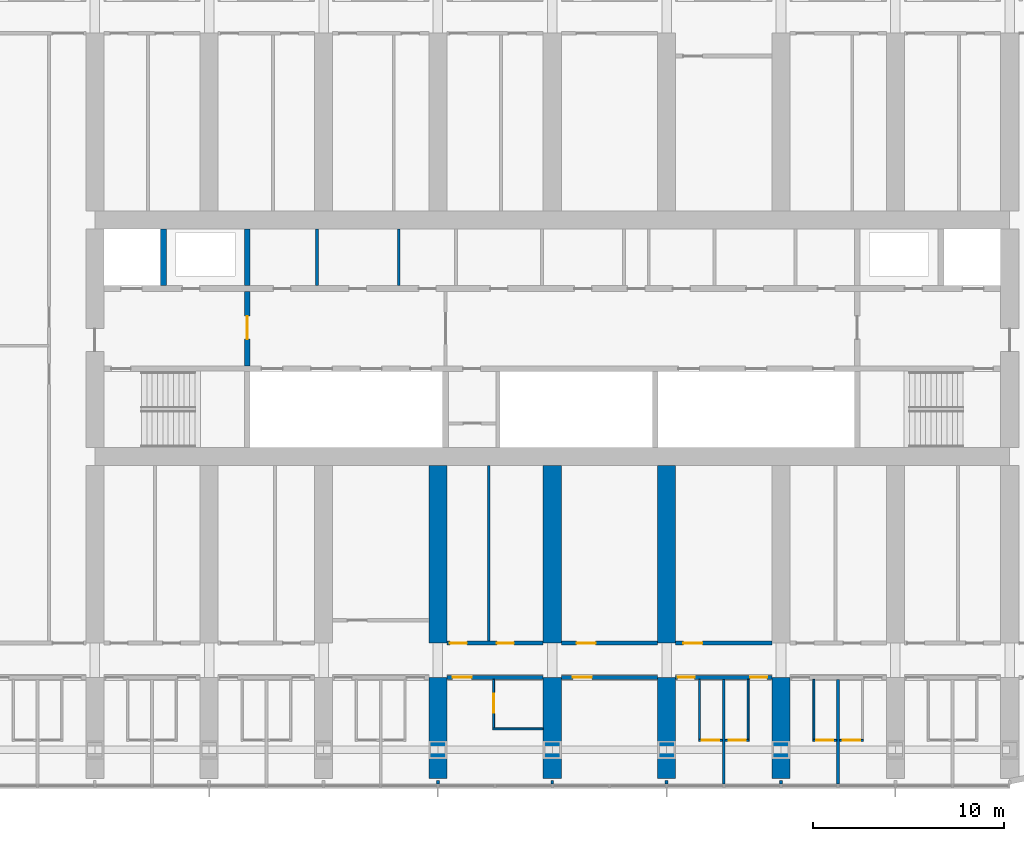
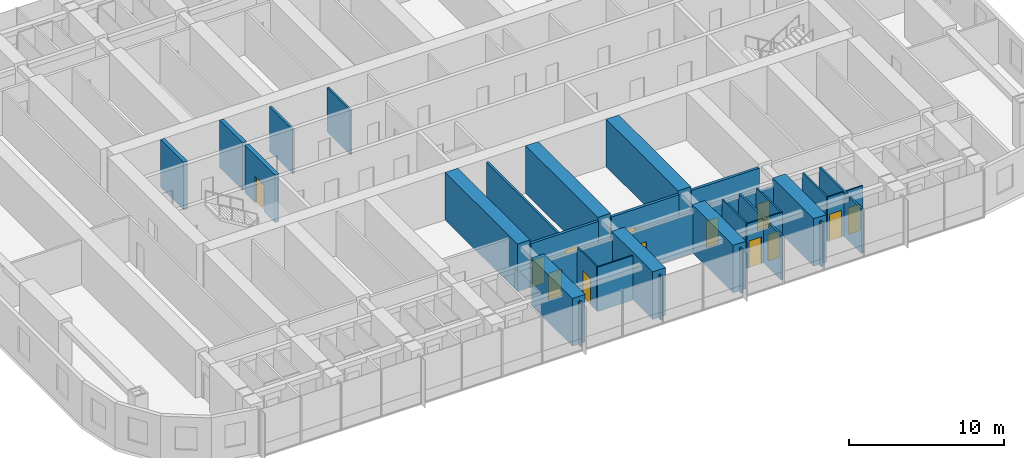
# One storey, part 10 of 22: 34 walls, 14 doors, 14 openings.
"""IFC4 building model written with IfcOpenShell, lengths in metres."""

from ifc_helpers import new_model, si_unit, direction, frame, frame_2d, origin, place, context, subcontext, project, spatial, polyline, rectangle, outline, extrude, material, layer, layer_set, type_object, element, fill, save


model = new_model("IFC4")

# Units and contexts
model_context = context("Model", 3, precision=1e-05, world=origin(), true_north=direction((0.0, 1.0)))
body_context = subcontext(model_context, "Body", "Model", "MODEL_VIEW")
ifc_project = project(units=[si_unit("LENGTHUNIT", "METRE"), si_unit("AREAUNIT", "SQUARE_METRE"), si_unit("VOLUMEUNIT", "CUBIC_METRE"), si_unit("PLANEANGLEUNIT", "RADIAN"), si_unit("MASSUNIT", "GRAM", prefix="KILO")], contexts=[model_context])

# Site, building, storey
site_placement = place(None, origin())
site = spatial("IfcSite", under=ifc_project, at=site_placement, CompositionType="ELEMENT")
building_placement = place(site_placement, origin())
building = spatial("IfcBuilding", under=site, at=building_placement, Name="Orbita Commons", CompositionType="ELEMENT")
storey_placement = place(building_placement, frame((0.0, 0.0, 118.14990234375)))
storey = spatial("IfcBuildingStorey", under=building, at=storey_placement, Name="L29", CompositionType="ELEMENT", Elevation=118.14990234375)

# Wall, opening, door
ifc_material_1 = material(Name="Concrete C50/60", Category="concrete")
ifc_layer_1 = layer(ifc_material_1, 0.300048828125)
ifc_layer_set_1 = layer_set([ifc_layer_1], Name="Concrete C50/60")
wall_type_1 = type_object("IfcWallType", Name="Core inner wall 300 C50/60", PredefinedType="SHEAR", material=ifc_layer_set_1)
wall_1_placement = place(storey_placement, frame((26.0, 30.550048828125, 0.0), z_axis=(0.0, 0.0, 1.0), x_axis=(0.0, 1.0, 0.0)))
wall_1 = element("IfcWall", 1, at=wall_1_placement, inside=storey, type_object=wall_type_1, Name="Firefighting lobby wall west L29", PredefinedType="SHEAR", context=body_context, shape_type="SweptSolid", body=[
    extrude(rectangle(XDim=3.89990234375, YDim=0.300048828125, at=frame_2d((1.949951171875, 0.0))), origin(), (0.0, 0.0, 1.0), 3.75),
])
opening_1_placement = place(wall_1_placement, frame((1.39990234375, 0.0, 0.0)))
opening_1 = element("IfcOpeningElement", 2, at=opening_1_placement, cuts=wall_1, Name="Opening D04", PredefinedType="OPENING", context=body_context, shape_type="SweptSolid", body=[
    extrude(rectangle(XDim=1.199951171875, YDim=2.10009765625, at=frame_2d((0.60009765625, 1.050048828125))), frame((0.0, 0.159912109375, 0.0), z_axis=(0.0, -1.0, 0.0), x_axis=(1.0, 0.0, 0.0)), (0.0, 0.0, 1.0), 0.320068359375),
])
ifc_material_2 = material(Name="Steel-faced fire door leaf", Category="steel")
door_type_1 = type_object("IfcDoorType", Name="Service door 20 min 1200x2100", OperationType="SINGLE_SWING_LEFT", PredefinedType="DOOR", material=ifc_material_2)
door_1_placement = place(opening_1_placement, origin())
door_1 = element("IfcDoor", 3, at=door_1_placement, inside=storey, type_object=door_type_1, Name="Lift lobby door west", OperationType="SINGLE_SWING_LEFT", OverallHeight=2.10009765625, OverallWidth=1.199951171875, PredefinedType="DOOR", context=body_context, shape_type="SweptSolid", body=[
    extrude(rectangle(XDim=1.199951171875, YDim=2.10009765625, at=frame_2d((0.60009765625, 1.050048828125))), frame((0.0, 0.02490234375, 0.0), z_axis=(0.0, -1.0, 0.0), x_axis=(1.0, 0.0, 0.0)), (0.0, 0.0, 1.0), 0.050048828125),
])
fill(opening_1, door_1)

# Walls
for number, where, z_axis, x_axis, name in (
    (4, (21.60009765625, 34.75, 0.0), (0.0, 0.0, 1.0), (0.0, 1.0, 0.0), "Firefighting lift FL1 shaft wall L29"),
    (5, (26.0, 34.75, 0.0), (0.0, 0.0, 1.0), (0.0, 1.0, 0.0), "Riser wall west L29"),
):
    element("IfcWall", number, at=place(storey_placement, frame(where, z_axis=z_axis, x_axis=x_axis)), inside=storey, type_object=wall_type_1, Name=name, PredefinedType="SHEAR", context=body_context, shape_type="SweptSolid", body=[
        extrude(rectangle(XDim=2.97509765625, YDim=0.300048828125, at=frame_2d((1.487548828125, 0.0))), origin(), (0.0, 0.0, 1.0), 3.75),
    ])
ifc_material_3 = material(Name="Concrete blockwork", Category="masonry")
ifc_layer_2 = layer(ifc_material_3, 0.14990234375)
ifc_layer_set_2 = layer_set([ifc_layer_2], Name="Concrete blockwork")
wall_type_2 = type_object("IfcWallType", Name="Core partition 150 blockwork", PredefinedType="SOLIDWALL", material=ifc_layer_set_2)
for number, where, z_axis, x_axis, name in (
    (6, (29.65087890625, 34.75, 0.0), (0.0, 0.0, 1.0), (0.0, 1.0, 0.0), "Core partition 150 blockwork L29"),
    (7, (33.9462890625, 34.75, 0.0), (0.0, 0.0, 1.0), (0.0, 1.0, 0.0), "Core partition 150 blockwork L29"),
):
    element("IfcWall", number, at=place(storey_placement, frame(where, z_axis=z_axis, x_axis=x_axis)), inside=storey, type_object=wall_type_2, Name=name, PredefinedType="SOLIDWALL", context=body_context, shape_type="SweptSolid", body=[
        extrude(rectangle(XDim=2.97509765625, YDim=0.14990234375, at=frame_2d((1.487548828125, 0.0))), origin(), (0.0, 0.0, 1.0), 3.5),
    ])

# Wall, opening, door
ifc_material_4 = material(Name="Concrete blockwork", Category="masonry")
ifc_layer_3 = layer(ifc_material_4, 0.199951171875)
ifc_layer_set_3 = layer_set([ifc_layer_3], Name="Concrete blockwork")
wall_type_3 = type_object("IfcWallType", Name="Corridor wall 200 blockwork", PredefinedType="SOLIDWALL", material=ifc_layer_set_3)
wall_2_placement = place(storey_placement, frame((36.47509765625, 14.199951171875, 0.0), z_axis=(0.0, 0.0, 1.0), x_axis=(1.0, 0.0, 0.0)))
wall_2 = element("IfcWall", 8, at=wall_2_placement, inside=storey, type_object=wall_type_3, Name="Corridor wall 200 blockwork L29", PredefinedType="SOLIDWALL", context=body_context, shape_type="SweptSolid", body=[
    extrude(outline(polyline([(0.0, 0.0), (5.0498046875, 0.0), (5.050048828125, 3.10009765625), (0.0, 3.10009765625), (0.0, 0.0)])), frame((0.0, 0.10009765625, 0.0), z_axis=(0.0, -1.0, 0.0), x_axis=(1.0, 0.0, 0.0)), (0.0, 0.0, 1.0), 0.199951171875),
])
opening_2_placement = place(wall_2_placement, frame((0.300048828125, 0.0, 0.0)))
opening_2 = element("IfcOpeningElement", 9, at=opening_2_placement, cuts=wall_2, Name="Opening D06", PredefinedType="OPENING", context=body_context, shape_type="SweptSolid", body=[
    extrude(rectangle(XDim=1.0, YDim=2.10009765625, at=frame_2d((0.5, 1.050048828125))), frame((0.0, 0.10986328125, 0.0), z_axis=(0.0, -1.0, 0.0), x_axis=(1.0, 0.0, 0.0)), (0.0, 0.0, 1.0), 0.219970703125),
])
ifc_material_5 = material(Name="Steel-faced fire door leaf", Category="steel")
door_type_2 = type_object("IfcDoorType", Name="Corridor door 20 min 1000x2100", OperationType="SINGLE_SWING_LEFT", PredefinedType="DOOR", material=ifc_material_5)
door_2_placement = place(opening_2_placement, origin())
door_2 = element("IfcDoor", 10, at=door_2_placement, inside=storey, type_object=door_type_2, Name="Accessible bedroom L29-S08 door", OperationType="SINGLE_SWING_LEFT", OverallHeight=2.10009765625, OverallWidth=1.0, PredefinedType="DOOR", context=body_context, shape_type="SweptSolid", body=[
    extrude(rectangle(XDim=1.0, YDim=2.10009765625, at=frame_2d((0.5, 1.050048828125))), frame((0.0, 0.02490234375, 0.0), z_axis=(0.0, -1.0, 0.0), x_axis=(1.0, 0.0, 0.0)), (0.0, 0.0, 1.0), 0.050048828125),
])
fill(opening_2, door_2)

wall_3_placement = place(storey_placement, frame((42.47509765625, 14.199951171875, 0.0), z_axis=(0.0, 0.0, 1.0), x_axis=(1.0, 0.0, 0.0)))
wall_3 = element("IfcWall", 11, at=wall_3_placement, inside=storey, type_object=wall_type_3, Name="Corridor wall 200 blockwork L29", PredefinedType="SOLIDWALL", context=body_context, shape_type="SweptSolid", body=[
    extrude(outline(polyline([(0.0, 0.0), (5.0498046875, 0.0), (5.050048828125, 3.10009765625), (0.0, 3.10009765625), (0.0, 0.0)])), frame((0.0, 0.10009765625, 0.0), z_axis=(0.0, -1.0, 0.0), x_axis=(1.0, 0.0, 0.0)), (0.0, 0.0, 1.0), 0.199951171875),
])
opening_3_placement = place(wall_3_placement, frame((0.60009765625, 0.0, 0.0)))
opening_3 = element("IfcOpeningElement", 12, at=opening_3_placement, cuts=wall_3, Name="Opening D06", PredefinedType="OPENING", context=body_context, shape_type="SweptSolid", body=[
    extrude(rectangle(XDim=1.0, YDim=2.10009765625, at=frame_2d((0.5, 1.050048828125))), frame((0.0, 0.10986328125, 0.0), z_axis=(0.0, -1.0, 0.0), x_axis=(1.0, 0.0, 0.0)), (0.0, 0.0, 1.0), 0.219970703125),
])
door_3_placement = place(opening_3_placement, origin())
door_3 = element("IfcDoor", 13, at=door_3_placement, inside=storey, type_object=door_type_2, Name="Cluster kitchen-diner L29-S10 door", OperationType="SINGLE_SWING_LEFT", OverallHeight=2.10009765625, OverallWidth=1.0, PredefinedType="DOOR", context=body_context, shape_type="SweptSolid", body=[
    extrude(rectangle(XDim=1.0, YDim=2.10009765625, at=frame_2d((0.5, 1.050048828125))), frame((0.0, 0.02490234375, 0.0), z_axis=(0.0, -1.0, 0.0), x_axis=(1.0, 0.0, 0.0)), (0.0, 0.0, 1.0), 0.050048828125),
])
fill(opening_3, door_3)

# Wall, openings, doors
wall_4_placement = place(storey_placement, frame((48.47509765625, 14.199951171875, 0.0), z_axis=(0.0, 0.0, 1.0), x_axis=(1.0, 0.0, 0.0)))
wall_4 = element("IfcWall", 14, at=wall_4_placement, inside=storey, type_object=wall_type_3, Name="Corridor wall 200 blockwork L29", PredefinedType="SOLIDWALL", context=body_context, shape_type="SweptSolid", body=[
    extrude(outline(polyline([(0.0, 0.0), (5.0498046875, 0.0), (5.050048828125, 3.10009765625), (0.0, 3.10009765625), (0.0, 0.0)])), frame((0.0, 0.10009765625, 0.0), z_axis=(0.0, -1.0, 0.0), x_axis=(1.0, 0.0, 0.0)), (0.0, 0.0, 1.0), 0.199951171875),
])
opening_4_placement = place(wall_4_placement, frame((0.10009765625, 0.0, 0.0)))
opening_4 = element("IfcOpeningElement", 15, at=opening_4_placement, cuts=wall_4, Name="Opening D11", PredefinedType="OPENING", context=body_context, shape_type="SweptSolid", body=[
    extrude(rectangle(XDim=0.89990234375, YDim=2.10009765625, at=frame_2d((0.449951171875, 1.050048828125))), frame((0.0, 0.10986328125, 0.0), z_axis=(0.0, -1.0, 0.0), x_axis=(1.0, 0.0, 0.0)), (0.0, 0.0, 1.0), 0.219970703125),
])
opening_5_placement = place(wall_4_placement, frame((3.89990234375, 0.0, 0.0)))
opening_5 = element("IfcOpeningElement", 16, at=opening_5_placement, cuts=wall_4, Name="Opening D11", PredefinedType="OPENING", context=body_context, shape_type="SweptSolid", body=[
    extrude(rectangle(XDim=0.89990234375, YDim=2.10009765625, at=frame_2d((0.449951171875, 1.050048828125))), frame((0.0, 0.10986328125, 0.0), z_axis=(0.0, -1.0, 0.0), x_axis=(1.0, 0.0, 0.0)), (0.0, 0.0, 1.0), 0.219970703125),
])
ifc_material_6 = material(Name="Steel-faced fire door leaf", Category="steel")
door_type_3 = type_object("IfcDoorType", Name="Corridor door 20 min 900x2100", OperationType="SINGLE_SWING_LEFT", PredefinedType="DOOR", material=ifc_material_6)
door_4_placement = place(opening_4_placement, origin())
door_4 = element("IfcDoor", 17, at=door_4_placement, inside=storey, type_object=door_type_3, Name="Cluster bedroom L29-S12 door", OperationType="SINGLE_SWING_LEFT", OverallHeight=2.10009765625, OverallWidth=0.89990234375, PredefinedType="DOOR", context=body_context, shape_type="SweptSolid", body=[
    extrude(rectangle(XDim=0.89990234375, YDim=2.10009765625, at=frame_2d((0.449951171875, 1.050048828125))), frame((0.0, 0.02490234375, 0.0), z_axis=(0.0, -1.0, 0.0), x_axis=(1.0, 0.0, 0.0)), (0.0, 0.0, 1.0), 0.050048828125),
])
fill(opening_4, door_4)
door_5_placement = place(opening_5_placement, origin())
door_5 = element("IfcDoor", 18, at=door_5_placement, inside=storey, type_object=door_type_3, Name="Cluster bedroom L29-S13 door", OperationType="SINGLE_SWING_LEFT", OverallHeight=2.10009765625, OverallWidth=0.89990234375, PredefinedType="DOOR", context=body_context, shape_type="SweptSolid", body=[
    extrude(rectangle(XDim=0.89990234375, YDim=2.10009765625, at=frame_2d((0.449951171875, 1.050048828125))), frame((0.0, 0.02490234375, 0.0), z_axis=(0.0, -1.0, 0.0), x_axis=(1.0, 0.0, 0.0)), (0.0, 0.0, 1.0), 0.050048828125),
])
fill(opening_5, door_5)

ifc_material_7 = material(Name="Hollow concrete block 200", Category="concrete")
ifc_layer_4 = layer(ifc_material_7, 0.199951171875)
ifc_layer_set_4 = layer_set([ifc_layer_4], Name="Hollow concrete block 200")
wall_type_4 = type_object("IfcWallType", Name="Corridor wall 200 hollow concrete block", PredefinedType="SOLIDWALL", material=ifc_layer_set_4)
wall_5_placement = place(storey_placement, frame((36.47509765625, 16.0, 0.0), z_axis=(0.0, 0.0, 1.0), x_axis=(1.0, 0.0, 0.0)))
wall_5 = element("IfcWall", 19, at=wall_5_placement, inside=storey, type_object=wall_type_4, Name="Corridor wall 200 hollow concrete block L29", PredefinedType="SOLIDWALL", context=body_context, shape_type="SweptSolid", body=[
    extrude(rectangle(XDim=5.0498046875, YDim=0.199951171875, at=frame_2d((2.52490234375, 0.0))), origin(), (0.0, 0.0, 1.0), 3.5),
])
opening_6_placement = place(wall_5_placement, frame((0.14990234375, 0.0, 0.0)))
opening_6 = element("IfcOpeningElement", 20, at=opening_6_placement, cuts=wall_5, Name="Opening D11", PredefinedType="OPENING", context=body_context, shape_type="SweptSolid", body=[
    extrude(rectangle(XDim=0.89990234375, YDim=2.10009765625, at=frame_2d((0.449951171875, 1.050048828125))), frame((0.0, 0.10986328125, 0.0), z_axis=(0.0, -1.0, 0.0), x_axis=(1.0, 0.0, 0.0)), (0.0, 0.0, 1.0), 0.219970703125),
])
opening_7_placement = place(wall_5_placement, frame((2.614990234375, 0.0, 0.0)))
opening_7 = element("IfcOpeningElement", 21, at=opening_7_placement, cuts=wall_5, Name="Opening D11", PredefinedType="OPENING", context=body_context, shape_type="SweptSolid", body=[
    extrude(rectangle(XDim=0.89990234375, YDim=2.10009765625, at=frame_2d((0.449951171875, 1.050048828125))), frame((0.0, 0.10986328125, 0.0), z_axis=(0.0, -1.0, 0.0), x_axis=(1.0, 0.0, 0.0)), (0.0, 0.0, 1.0), 0.219970703125),
])
door_6_placement = place(opening_6_placement, origin())
door_6 = element("IfcDoor", 22, at=door_6_placement, inside=storey, type_object=door_type_3, Name="Battery and UPS room L29-BDS36n door", OperationType="SINGLE_SWING_LEFT", OverallHeight=2.10009765625, OverallWidth=0.89990234375, PredefinedType="DOOR", context=body_context, shape_type="SweptSolid", body=[
    extrude(rectangle(XDim=0.89990234375, YDim=2.10009765625, at=frame_2d((0.449951171875, 1.050048828125))), frame((0.0, 0.02490234375, 0.0), z_axis=(0.0, -1.0, 0.0), x_axis=(1.0, 0.0, 0.0)), (0.0, 0.0, 1.0), 0.050048828125),
])
fill(opening_6, door_6)
door_7_placement = place(opening_7_placement, origin())
door_7 = element("IfcDoor", 23, at=door_7_placement, inside=storey, type_object=door_type_3, Name="Bicycle repair workshop L29-BDS36 door", OperationType="SINGLE_SWING_LEFT", OverallHeight=2.10009765625, OverallWidth=0.89990234375, PredefinedType="DOOR", context=body_context, shape_type="SweptSolid", body=[
    extrude(rectangle(XDim=0.89990234375, YDim=2.10009765625, at=frame_2d((0.449951171875, 1.050048828125))), frame((0.0, 0.02490234375, 0.0), z_axis=(0.0, -1.0, 0.0), x_axis=(1.0, 0.0, 0.0)), (0.0, 0.0, 1.0), 0.050048828125),
])
fill(opening_7, door_7)

# Wall, opening, door
wall_6_placement = place(storey_placement, frame((42.47509765625, 16.0, 0.0), z_axis=(0.0, 0.0, 1.0), x_axis=(1.0, 0.0, 0.0)))
wall_6 = element("IfcWall", 24, at=wall_6_placement, inside=storey, type_object=wall_type_4, Name="Corridor wall 200 hollow concrete block L29", PredefinedType="SOLIDWALL", context=body_context, shape_type="SweptSolid", body=[
    extrude(rectangle(XDim=5.0498046875, YDim=0.199951171875, at=frame_2d((2.52490234375, 0.0))), origin(), (0.0, 0.0, 1.0), 3.5),
])
opening_8_placement = place(wall_6_placement, frame((0.800048828125, 0.0, 0.0)))
opening_8 = element("IfcOpeningElement", 25, at=opening_8_placement, cuts=wall_6, Name="Opening D06", PredefinedType="OPENING", context=body_context, shape_type="SweptSolid", body=[
    extrude(rectangle(XDim=1.0, YDim=2.10009765625, at=frame_2d((0.5, 1.050048828125))), frame((0.0, 0.10986328125, 0.0), z_axis=(0.0, -1.0, 0.0), x_axis=(1.0, 0.0, 0.0)), (0.0, 0.0, 1.0), 0.219970703125),
])
door_8_placement = place(opening_8_placement, origin())
door_8 = element("IfcDoor", 26, at=door_8_placement, inside=storey, type_object=door_type_2, Name="Bulk and luggage store L29-BDS42 door", OperationType="SINGLE_SWING_LEFT", OverallHeight=2.10009765625, OverallWidth=1.0, PredefinedType="DOOR", context=body_context, shape_type="SweptSolid", body=[
    extrude(rectangle(XDim=1.0, YDim=2.10009765625, at=frame_2d((0.5, 1.050048828125))), frame((0.0, 0.02490234375, 0.0), z_axis=(0.0, -1.0, 0.0), x_axis=(1.0, 0.0, 0.0)), (0.0, 0.0, 1.0), 0.050048828125),
])
fill(opening_8, door_8)

wall_7_placement = place(storey_placement, frame((48.47509765625, 16.0, 0.0), z_axis=(0.0, 0.0, 1.0), x_axis=(1.0, 0.0, 0.0)))
wall_7 = element("IfcWall", 27, at=wall_7_placement, inside=storey, type_object=wall_type_4, Name="Corridor wall 200 hollow concrete block L29", PredefinedType="SOLIDWALL", context=body_context, shape_type="SweptSolid", body=[
    extrude(rectangle(XDim=5.0498046875, YDim=0.199951171875, at=frame_2d((2.52490234375, 0.0))), origin(), (0.0, 0.0, 1.0), 3.5),
])
opening_9_placement = place(wall_7_placement, frame((0.39990234375, 0.0, 0.0)))
opening_9 = element("IfcOpeningElement", 28, at=opening_9_placement, cuts=wall_7, Name="Opening D06", PredefinedType="OPENING", context=body_context, shape_type="SweptSolid", body=[
    extrude(rectangle(XDim=1.0, YDim=2.10009765625, at=frame_2d((0.5, 1.050048828125))), frame((0.0, 0.10986328125, 0.0), z_axis=(0.0, -1.0, 0.0), x_axis=(1.0, 0.0, 0.0)), (0.0, 0.0, 1.0), 0.219970703125),
])
door_9_placement = place(opening_9_placement, origin())
door_9 = element("IfcDoor", 29, at=door_9_placement, inside=storey, type_object=door_type_2, Name="Cleaners store L29-BDS48 door", OperationType="SINGLE_SWING_LEFT", OverallHeight=2.10009765625, OverallWidth=1.0, PredefinedType="DOOR", context=body_context, shape_type="SweptSolid", body=[
    extrude(rectangle(XDim=1.0, YDim=2.10009765625, at=frame_2d((0.5, 1.050048828125))), frame((0.0, 0.02490234375, 0.0), z_axis=(0.0, -1.0, 0.0), x_axis=(1.0, 0.0, 0.0)), (0.0, 0.0, 1.0), 0.050048828125),
])
fill(opening_9, door_9)

# Walls
ifc_material_8 = material(Name="Concrete C50/60", Category="concrete")
ifc_layer_5 = layer(ifc_material_8, 0.949951171875)
ifc_layer_set_5 = layer_set([ifc_layer_5], Name="Concrete C50/60")
wall_type_5 = type_object("IfcWallType", Name="Cross wall 950 C50/60", PredefinedType="SHEAR", material=ifc_layer_set_5)
wall_8_placement = place(storey_placement, frame((36.0, 8.89990234375, 0.0), z_axis=(0.0, 0.0, 1.0), x_axis=(0.0, 1.0, 0.0)))
element("IfcWall", 30, at=wall_8_placement, inside=storey, type_object=wall_type_5, Name="Cross wall 7 south outer L29", PredefinedType="SHEAR", context=body_context, shape_type="SweptSolid", body=[
    extrude(rectangle(XDim=5.300048828125, YDim=0.949951171875, at=frame_2d((2.64990234375, 0.0))), origin(), (0.0, 0.0, 1.0), 3.75),
])
wall_9_placement = place(storey_placement, frame((36.0, 16.0, 0.0), z_axis=(0.0, 0.0, 1.0), x_axis=(0.0, 1.0, 0.0)))
element("IfcWall", 31, at=wall_9_placement, inside=storey, type_object=wall_type_5, Name="Cross wall 7 south inner L29", PredefinedType="SHEAR", context=body_context, shape_type="SweptSolid", body=[
    extrude(rectangle(XDim=9.324951171875, YDim=0.949951171875, at=frame_2d((4.66259765625, 0.0))), origin(), (0.0, 0.0, 1.0), 3.75),
])
wall_10_placement = place(storey_placement, frame((42.0, 8.89990234375, 0.0), z_axis=(0.0, 0.0, 1.0), x_axis=(0.0, 1.0, 0.0)))
element("IfcWall", 32, at=wall_10_placement, inside=storey, type_object=wall_type_5, Name="Cross wall 8 south outer L29", PredefinedType="SHEAR", context=body_context, shape_type="SweptSolid", body=[
    extrude(rectangle(XDim=5.300048828125, YDim=0.949951171875, at=frame_2d((2.64990234375, 0.0))), origin(), (0.0, 0.0, 1.0), 3.75),
])
wall_11_placement = place(storey_placement, frame((42.0, 16.0, 0.0), z_axis=(0.0, 0.0, 1.0), x_axis=(0.0, 1.0, 0.0)))
element("IfcWall", 33, at=wall_11_placement, inside=storey, type_object=wall_type_5, Name="Cross wall 8 south inner L29", PredefinedType="SHEAR", context=body_context, shape_type="SweptSolid", body=[
    extrude(rectangle(XDim=9.324951171875, YDim=0.949951171875, at=frame_2d((4.66259765625, 0.0))), origin(), (0.0, 0.0, 1.0), 3.75),
])
wall_12_placement = place(storey_placement, frame((48.0, 8.89990234375, 0.0), z_axis=(0.0, 0.0, 1.0), x_axis=(0.0, 1.0, 0.0)))
element("IfcWall", 34, at=wall_12_placement, inside=storey, type_object=wall_type_5, Name="Cross wall 9 south outer L29", PredefinedType="SHEAR", context=body_context, shape_type="SweptSolid", body=[
    extrude(rectangle(XDim=5.300048828125, YDim=0.949951171875, at=frame_2d((2.64990234375, 0.0))), origin(), (0.0, 0.0, 1.0), 3.75),
])
wall_13_placement = place(storey_placement, frame((48.0, 16.0, 0.0), z_axis=(0.0, 0.0, 1.0), x_axis=(0.0, 1.0, 0.0)))
element("IfcWall", 35, at=wall_13_placement, inside=storey, type_object=wall_type_5, Name="Cross wall 9 south inner L29", PredefinedType="SHEAR", context=body_context, shape_type="SweptSolid", body=[
    extrude(rectangle(XDim=9.324951171875, YDim=0.949951171875, at=frame_2d((4.66259765625, 0.0))), origin(), (0.0, 0.0, 1.0), 3.75),
])
wall_14_placement = place(storey_placement, frame((54.0, 8.89990234375, 0.0), z_axis=(0.0, 0.0, 1.0), x_axis=(0.0, 1.0, 0.0)))
element("IfcWall", 36, at=wall_14_placement, inside=storey, type_object=wall_type_5, Name="Cross wall 10 south outer L29", PredefinedType="SHEAR", context=body_context, shape_type="SweptSolid", body=[
    extrude(rectangle(XDim=5.300048828125, YDim=0.949951171875, at=frame_2d((2.64990234375, 0.0))), origin(), (0.0, 0.0, 1.0), 3.75),
])
ifc_material_9 = material(Name="Moisture-resistant plasterboard on steel studs", Category="steel")
ifc_layer_6 = layer(ifc_material_9, 0.10009765625)
ifc_layer_set_6 = layer_set([ifc_layer_6], Name="Moisture-resistant plasterboard on steel studs")
wall_type_6 = type_object("IfcWallType", Name="En-suite partition 100", PredefinedType="PARTITIONING", material=ifc_layer_set_6)
wall_15_placement = place(storey_placement, frame((38.875, 11.5, 0.0), z_axis=(0.0, 0.0, 1.0), x_axis=(1.0, 0.0, 0.0)))
element("IfcWall", 37, at=wall_15_placement, inside=storey, type_object=wall_type_6, Name="En-suite partition 100 L29", PredefinedType="PARTITIONING", context=body_context, shape_type="SweptSolid", body=[
    extrude(rectangle(XDim=2.64990234375, YDim=0.10009765625, at=frame_2d((1.324951171875, 0.0))), origin(), (0.0, 0.0, 1.0), 3.5),
])

# Wall, opening, door
wall_16_placement = place(storey_placement, frame((38.925048828125, 11.550048828125, 0.0), z_axis=(0.0, 0.0, 1.0), x_axis=(0.0, 1.0, 0.0)))
wall_16 = element("IfcWall", 38, at=wall_16_placement, inside=storey, type_object=wall_type_6, Name="En-suite partition 100 L29", PredefinedType="PARTITIONING", context=body_context, shape_type="SweptSolid", body=[
    extrude(outline(polyline([(0.0, 0.0), (2.550048828125, 0.0), (2.550048828125, 3.10009765625), (2.501953125, 3.10009765625), (2.5, 3.5), (0.0, 3.5), (0.0, 0.0)])), frame((0.0, 0.050048828125, 0.0), z_axis=(0.0, -1.0, 0.0), x_axis=(1.0, 0.0, 0.0)), (0.0, 0.0, 1.0), 0.10009765625),
])
opening_10_placement = place(wall_16_placement, frame((0.800048828125, 0.0, 0.0)))
opening_10 = element("IfcOpeningElement", 39, at=opening_10_placement, cuts=wall_16, Name="Opening D13", PredefinedType="OPENING", context=body_context, shape_type="SweptSolid", body=[
    extrude(rectangle(XDim=1.0, YDim=2.10009765625, at=frame_2d((0.5, 1.050048828125))), frame((0.0, 0.06005859375, 0.0), z_axis=(0.0, -1.0, 0.0), x_axis=(1.0, 0.0, 0.0)), (0.0, 0.0, 1.0), 0.1201171875),
])
ifc_material_10 = material(Name="Laminated timber door leaf", Category="wood")
door_type_4 = type_object("IfcDoorType", Name="En-suite door 1000x2100", OperationType="SINGLE_SWING_RIGHT", PredefinedType="DOOR", material=ifc_material_10)
door_10_placement = place(opening_10_placement, origin())
door_10 = element("IfcDoor", 40, at=door_10_placement, inside=storey, type_object=door_type_4, Name="Accessible shower room L29-S08 door", OperationType="SINGLE_SWING_RIGHT", OverallHeight=2.10009765625, OverallWidth=1.0, PredefinedType="DOOR", context=body_context, shape_type="SweptSolid", body=[
    extrude(rectangle(XDim=1.0, YDim=2.10009765625, at=frame_2d((0.5, 1.050048828125))), frame((0.0, 0.02490234375, 0.0), z_axis=(0.0, -1.0, 0.0), x_axis=(1.0, 0.0, 0.0)), (0.0, 0.0, 1.0), 0.050048828125),
])
fill(opening_10, door_10)

wall_17_placement = place(storey_placement, frame((50.925048828125, 10.89990234375, 0.0), z_axis=(0.0, 0.0, 1.0), x_axis=(-1.0, 0.0, 0.0)))
wall_17 = element("IfcWall", 41, at=wall_17_placement, inside=storey, type_object=wall_type_6, Name="En-suite partition 100 L29", PredefinedType="PARTITIONING", context=body_context, shape_type="SweptSolid", body=[
    extrude(rectangle(XDim=1.25, YDim=0.10009765625, at=frame_2d((0.625, 0.0))), origin(), (0.0, 0.0, 1.0), 3.5),
])
opening_11_placement = place(wall_17_placement, frame((0.175048828125, 0.0, 0.0)))
opening_11 = element("IfcOpeningElement", 42, at=opening_11_placement, cuts=wall_17, Name="Opening D09", PredefinedType="OPENING", context=body_context, shape_type="SweptSolid", body=[
    extrude(rectangle(XDim=0.89990234375, YDim=2.10009765625, at=frame_2d((0.449951171875, 1.050048828125))), frame((0.0, 0.06005859375, 0.0), z_axis=(0.0, -1.0, 0.0), x_axis=(1.0, 0.0, 0.0)), (0.0, 0.0, 1.0), 0.1201171875),
])
ifc_material_11 = material(Name="Laminated timber door leaf", Category="wood")
door_type_5 = type_object("IfcDoorType", Name="En-suite door 900x2100", OperationType="SINGLE_SWING_RIGHT", PredefinedType="DOOR", material=ifc_material_11)
door_11_placement = place(opening_11_placement, origin())
door_11 = element("IfcDoor", 43, at=door_11_placement, inside=storey, type_object=door_type_5, Name="En-suite L29-S12 door", OperationType="SINGLE_SWING_RIGHT", OverallHeight=2.10009765625, OverallWidth=0.89990234375, PredefinedType="DOOR", context=body_context, shape_type="SweptSolid", body=[
    extrude(rectangle(XDim=0.89990234375, YDim=2.10009765625, at=frame_2d((0.449951171875, 1.050048828125))), frame((0.0, 0.02490234375, 0.0), z_axis=(0.0, -1.0, 0.0), x_axis=(1.0, 0.0, 0.0)), (0.0, 0.0, 1.0), 0.050048828125),
])
fill(opening_11, door_11)

# Wall
wall_18_placement = place(storey_placement, frame((49.72509765625, 10.949951171875, 0.0), z_axis=(0.0, 0.0, 1.0), x_axis=(0.0, 1.0, 0.0)))
element("IfcWall", 44, at=wall_18_placement, inside=storey, type_object=wall_type_6, Name="En-suite partition 100 L29", PredefinedType="PARTITIONING", context=body_context, shape_type="SweptSolid", body=[
    extrude(outline(polyline([(0.0, 0.0), (3.150146484375, 0.0), (3.14990234375, 3.10009765625), (3.10205078125, 3.10009765625), (3.10009765625, 3.5), (0.0, 3.5), (0.0, 0.0)])), frame((0.0, 0.050048828125, 0.0), z_axis=(0.0, -1.0, 0.0), x_axis=(1.0, 0.0, 0.0)), (0.0, 0.0, 1.0), 0.10009765625),
])

# Wall, opening, door
wall_19_placement = place(storey_placement, frame((52.324951171875, 10.89990234375, 0.0), z_axis=(0.0, 0.0, 1.0), x_axis=(-1.0, 0.0, 0.0)))
wall_19 = element("IfcWall", 45, at=wall_19_placement, inside=storey, type_object=wall_type_6, Name="En-suite partition 100 L29", PredefinedType="PARTITIONING", context=body_context, shape_type="SweptSolid", body=[
    extrude(rectangle(XDim=1.25, YDim=0.10009765625, at=frame_2d((0.625, 0.0))), origin(), (0.0, 0.0, 1.0), 3.5),
])
opening_12_placement = place(wall_19_placement, frame((0.175048828125, 0.0, 0.0)))
opening_12 = element("IfcOpeningElement", 46, at=opening_12_placement, cuts=wall_19, Name="Opening D09", PredefinedType="OPENING", context=body_context, shape_type="SweptSolid", body=[
    extrude(rectangle(XDim=0.89990234375, YDim=2.10009765625, at=frame_2d((0.449951171875, 1.050048828125))), frame((0.0, 0.06005859375, 0.0), z_axis=(0.0, -1.0, 0.0), x_axis=(1.0, 0.0, 0.0)), (0.0, 0.0, 1.0), 0.1201171875),
])
door_12_placement = place(opening_12_placement, origin())
door_12 = element("IfcDoor", 47, at=door_12_placement, inside=storey, type_object=door_type_5, Name="En-suite L29-S13 door", OperationType="SINGLE_SWING_RIGHT", OverallHeight=2.10009765625, OverallWidth=0.89990234375, PredefinedType="DOOR", context=body_context, shape_type="SweptSolid", body=[
    extrude(rectangle(XDim=0.89990234375, YDim=2.10009765625, at=frame_2d((0.449951171875, 1.050048828125))), frame((0.0, 0.02490234375, 0.0), z_axis=(0.0, -1.0, 0.0), x_axis=(1.0, 0.0, 0.0)), (0.0, 0.0, 1.0), 0.050048828125),
])
fill(opening_12, door_12)

# Wall
wall_20_placement = place(storey_placement, frame((52.27490234375, 10.949951171875, 0.0), z_axis=(0.0, 0.0, 1.0), x_axis=(0.0, 1.0, 0.0)))
element("IfcWall", 48, at=wall_20_placement, inside=storey, type_object=wall_type_6, Name="En-suite partition 100 L29", PredefinedType="PARTITIONING", context=body_context, shape_type="SweptSolid", body=[
    extrude(outline(polyline([(0.0, 0.0), (3.150146484375, 0.0), (3.14990234375, 3.10009765625), (3.10205078125, 3.10009765625), (3.10009765625, 3.5), (0.0, 3.5), (0.0, 0.0)])), frame((0.0, 0.050048828125, 0.0), z_axis=(0.0, -1.0, 0.0), x_axis=(1.0, 0.0, 0.0)), (0.0, 0.0, 1.0), 0.10009765625),
])

# Wall, opening, door
wall_21_placement = place(storey_placement, frame((56.925048828125, 10.89990234375, 0.0), z_axis=(0.0, 0.0, 1.0), x_axis=(-1.0, 0.0, 0.0)))
wall_21 = element("IfcWall", 49, at=wall_21_placement, inside=storey, type_object=wall_type_6, Name="En-suite partition 100 L29", PredefinedType="PARTITIONING", context=body_context, shape_type="SweptSolid", body=[
    extrude(rectangle(XDim=1.25, YDim=0.10009765625, at=frame_2d((0.625, 0.0))), origin(), (0.0, 0.0, 1.0), 3.5),
])
opening_13_placement = place(wall_21_placement, frame((0.175048828125, 0.0, 0.0)))
opening_13 = element("IfcOpeningElement", 50, at=opening_13_placement, cuts=wall_21, Name="Opening D09", PredefinedType="OPENING", context=body_context, shape_type="SweptSolid", body=[
    extrude(rectangle(XDim=0.89990234375, YDim=2.10009765625, at=frame_2d((0.449951171875, 1.050048828125))), frame((0.0, 0.06005859375, 0.0), z_axis=(0.0, -1.0, 0.0), x_axis=(1.0, 0.0, 0.0)), (0.0, 0.0, 1.0), 0.1201171875),
])
door_13_placement = place(opening_13_placement, origin())
door_13 = element("IfcDoor", 51, at=door_13_placement, inside=storey, type_object=door_type_5, Name="En-suite L29-S14 door", OperationType="SINGLE_SWING_RIGHT", OverallHeight=2.10009765625, OverallWidth=0.89990234375, PredefinedType="DOOR", context=body_context, shape_type="SweptSolid", body=[
    extrude(rectangle(XDim=0.89990234375, YDim=2.10009765625, at=frame_2d((0.449951171875, 1.050048828125))), frame((0.0, 0.02490234375, 0.0), z_axis=(0.0, -1.0, 0.0), x_axis=(1.0, 0.0, 0.0)), (0.0, 0.0, 1.0), 0.050048828125),
])
fill(opening_13, door_13)

# Wall
wall_22_placement = place(storey_placement, frame((55.72509765625, 10.949951171875, 0.0), z_axis=(0.0, 0.0, 1.0), x_axis=(0.0, 1.0, 0.0)))
element("IfcWall", 52, at=wall_22_placement, inside=storey, type_object=wall_type_6, Name="En-suite partition 100 L29", PredefinedType="PARTITIONING", context=body_context, shape_type="SweptSolid", body=[
    extrude(outline(polyline([(0.0, 0.0), (3.150146484375, 0.0), (3.14990234375, 3.10009765625), (3.10205078125, 3.10009765625), (3.10009765625, 3.5), (0.0, 3.5), (0.0, 0.0)])), frame((0.0, 0.050048828125, 0.0), z_axis=(0.0, -1.0, 0.0), x_axis=(1.0, 0.0, 0.0)), (0.0, 0.0, 1.0), 0.10009765625),
])

# Wall, opening, door
wall_23_placement = place(storey_placement, frame((58.324951171875, 10.89990234375, 0.0), z_axis=(0.0, 0.0, 1.0), x_axis=(-1.0, 0.0, 0.0)))
wall_23 = element("IfcWall", 53, at=wall_23_placement, inside=storey, type_object=wall_type_6, Name="En-suite partition 100 L29", PredefinedType="PARTITIONING", context=body_context, shape_type="SweptSolid", body=[
    extrude(rectangle(XDim=1.25, YDim=0.10009765625, at=frame_2d((0.625, 0.0))), origin(), (0.0, 0.0, 1.0), 3.5),
])
opening_14_placement = place(wall_23_placement, frame((0.175048828125, 0.0, 0.0)))
opening_14 = element("IfcOpeningElement", 54, at=opening_14_placement, cuts=wall_23, Name="Opening D09", PredefinedType="OPENING", context=body_context, shape_type="SweptSolid", body=[
    extrude(rectangle(XDim=0.89990234375, YDim=2.10009765625, at=frame_2d((0.449951171875, 1.050048828125))), frame((0.0, 0.06005859375, 0.0), z_axis=(0.0, -1.0, 0.0), x_axis=(1.0, 0.0, 0.0)), (0.0, 0.0, 1.0), 0.1201171875),
])
door_14_placement = place(opening_14_placement, origin())
door_14 = element("IfcDoor", 55, at=door_14_placement, inside=storey, type_object=door_type_5, Name="En-suite L29-S15 door", OperationType="SINGLE_SWING_RIGHT", OverallHeight=2.10009765625, OverallWidth=0.89990234375, PredefinedType="DOOR", context=body_context, shape_type="SweptSolid", body=[
    extrude(rectangle(XDim=0.89990234375, YDim=2.10009765625, at=frame_2d((0.449951171875, 1.050048828125))), frame((0.0, 0.02490234375, 0.0), z_axis=(0.0, -1.0, 0.0), x_axis=(1.0, 0.0, 0.0)), (0.0, 0.0, 1.0), 0.050048828125),
])
fill(opening_14, door_14)

# Walls
ifc_material_12 = material(Name="Gypsum plasterboard on steel studs", Category="steel")
ifc_layer_7 = layer(ifc_material_12, 0.14990234375)
ifc_layer_set_7 = layer_set([ifc_layer_7], Name="Gypsum plasterboard on steel studs")
wall_type_7 = type_object("IfcWallType", Name="Partition 150 plasterboard", PredefinedType="PARTITIONING", material=ifc_layer_set_7)
wall_24_placement = place(storey_placement, frame((38.6650390625, 16.10009765625, 0.0), z_axis=(0.0, 0.0, 1.0), x_axis=(0.0, 1.0, 0.0)))
element("IfcWall", 56, at=wall_24_placement, inside=storey, type_object=wall_type_7, Name="Partition 150 plasterboard L29", PredefinedType="PARTITIONING", context=body_context, shape_type="SweptSolid", body=[
    extrude(rectangle(XDim=9.224853515625, YDim=0.14990234375, at=frame_2d((4.6123046875, 0.0))), origin(), (0.0, 0.0, 1.0), 3.5),
])
for number, where, z_axis, x_axis, name in (
    (57, (36.0, 8.800048828125, 0.0), (0.0, 0.0, 1.0), (0.0, -1.0, 0.0), "Partition 150 plasterboard L29"),
    (58, (42.0, 8.800048828125, 0.0), (0.0, 0.0, 1.0), (0.0, -1.0, 0.0), "Partition 150 plasterboard L29"),
    (59, (48.0, 8.800048828125, 0.0), (0.0, 0.0, 1.0), (0.0, -1.0, 0.0), "Partition 150 plasterboard L29"),
    (60, (54.0, 8.800048828125, 0.0), (0.0, 0.0, 1.0), (0.0, -1.0, 0.0), "Partition 150 plasterboard L29"),
):
    element("IfcWall", number, at=place(storey_placement, frame(where, z_axis=z_axis, x_axis=x_axis)), inside=storey, type_object=wall_type_7, Name=name, PredefinedType="PARTITIONING", context=body_context, shape_type="SweptSolid", body=[
        extrude(rectangle(XDim=0.18994140625, YDim=0.14990234375, at=frame_2d((0.094970703125, 0.0))), origin(), (0.0, 0.0, 1.0), 3.5),
    ])
ifc_material_13 = material(Name="Gypsum plasterboard on steel studs", Category="steel")
ifc_layer_8 = layer(ifc_material_13, 0.14990234375)
ifc_layer_set_8 = layer_set([ifc_layer_8], Name="Gypsum plasterboard on steel studs")
wall_type_8 = type_object("IfcWallType", Name="Party wall 150 plasterboard", PredefinedType="PARTITIONING", material=ifc_layer_set_8)
for number, where, z_axis, x_axis, name in (
    (61, (51.0, 8.610107421875, 0.0), (0.0, 0.0, 1.0), (0.0, 1.0, 0.0), "Party wall 150 plasterboard L29"),
    (62, (57.0, 8.610107421875, 0.0), (0.0, 0.0, 1.0), (0.0, 1.0, 0.0), "Party wall 150 plasterboard L29"),
):
    element("IfcWall", number, at=place(storey_placement, frame(where, z_axis=z_axis, x_axis=x_axis)), inside=storey, type_object=wall_type_8, Name=name, PredefinedType="PARTITIONING", context=body_context, shape_type="SweptSolid", body=[
        extrude(outline(polyline([(0.0, 0.0), (5.489990234375, 0.0), (5.489990234375, 3.10009765625), (5.44189453125, 3.10009765625), (5.43994140625, 3.5), (1.991943359375, 3.5), (1.989990234375, 3.10009765625), (1.592041015625, 3.10009765625), (1.590087890625, 3.5), (0.0, 3.5), (0.0, 0.0)])), frame((0.0, 0.074951171875, 0.0), z_axis=(0.0, -1.0, 0.0), x_axis=(1.0, 0.0, 0.0)), (0.0, 0.0, 1.0), 0.14990234375),
    ])

save(model, "model.ifc")
